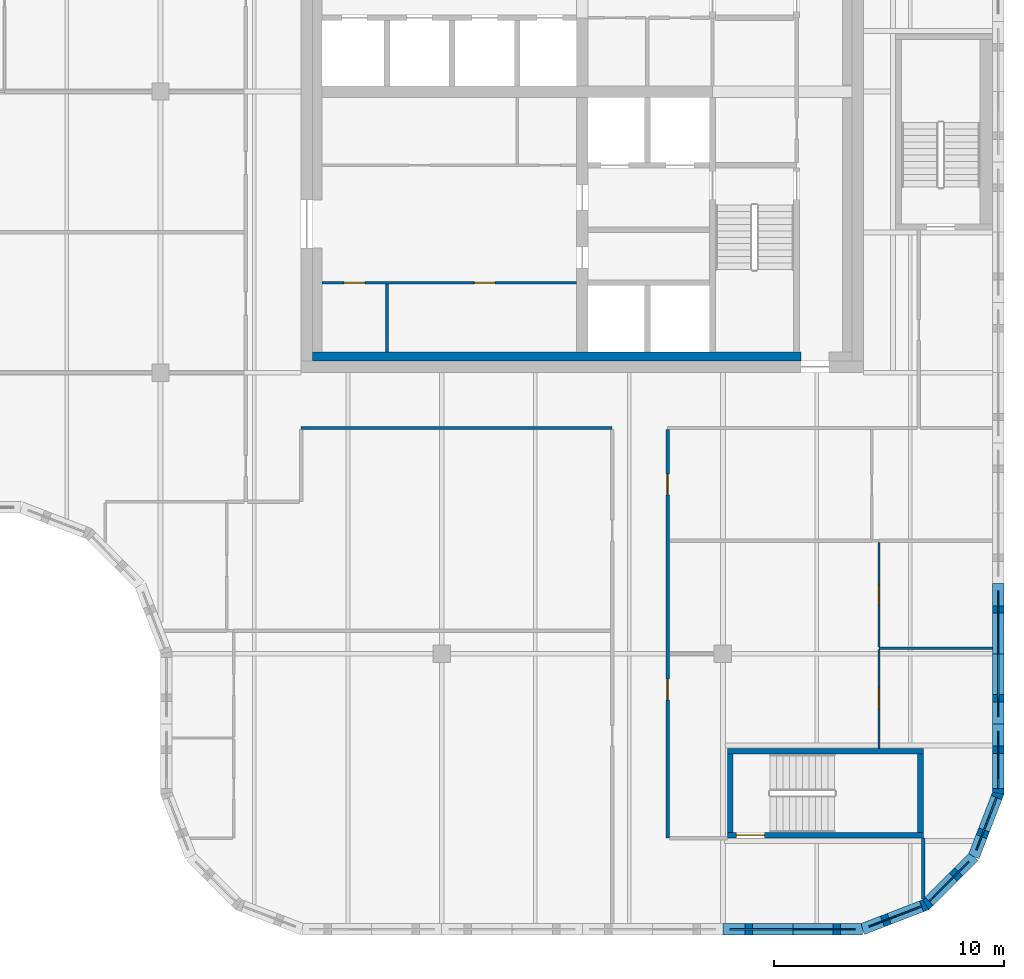
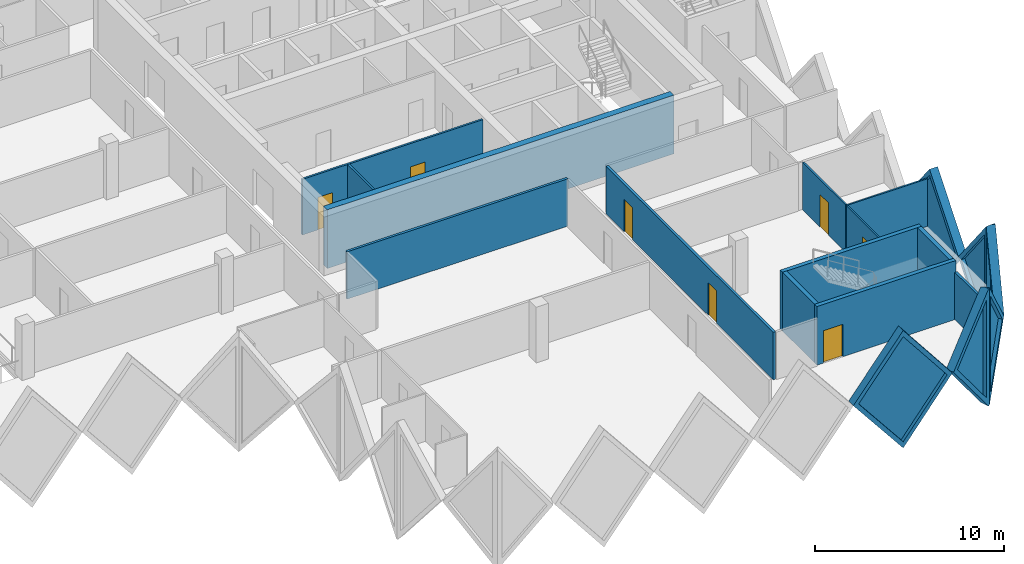
# One storey, part 5 of 12: 19 walls, 7 doors, 6 plates, 13 openings.
"""IFC4 building model written with IfcOpenShell, lengths in metres."""

from ifc_helpers import new_model, si_unit, direction, frame, frame_2d, origin, place, context, subcontext, project, spatial, polyline, rectangle, outline, extrude, faceted_brep, source, transform, mapped, material, layer, layer_set, type_object, element, fill, save


model = new_model("IFC4")

# Units and contexts
model_context = context("Model", 3, precision=1e-05, world=origin(), true_north=direction((0.0, 1.0)))
body_context = subcontext(model_context, "Body", "Model", "MODEL_VIEW")
ifc_project = project(units=[si_unit("LENGTHUNIT", "METRE"), si_unit("AREAUNIT", "SQUARE_METRE"), si_unit("VOLUMEUNIT", "CUBIC_METRE"), si_unit("PLANEANGLEUNIT", "RADIAN"), si_unit("MASSUNIT", "GRAM", prefix="KILO")], contexts=[model_context])

# Site, building, storey
site_placement = place(None, origin())
site = spatial("IfcSite", under=ifc_project, at=site_placement, CompositionType="ELEMENT")
building_placement = place(site_placement, origin())
building = spatial("IfcBuilding", under=site, at=building_placement, Name="Tessera Gate Towers", CompositionType="ELEMENT")
storey_placement = place(building_placement, frame((0.0, 0.0, 209.300048828125)))
storey = spatial("IfcBuildingStorey", under=building, at=storey_placement, Name="L52", CompositionType="ELEMENT", Elevation=209.300048828125)

# Wall, opening, door
ifc_material_1 = material(Name="Concrete C40/50", Category="concrete")
ifc_layer_1 = layer(ifc_material_1, 0.25)
ifc_layer_set_1 = layer_set([ifc_layer_1], Name="CORE ENCLOSURE WALL 250")
wall_type_1 = type_object("IfcWallType", Name="CORE ENCLOSURE WALL 250", PredefinedType="SOLIDWALL", material=ifc_layer_set_1)
wall_1_placement = place(storey_placement, frame((57.5, 4.324951171875, 0.0), z_axis=(0.0, 0.0, 1.0), x_axis=(-1.0, 0.0, 0.0)))
wall_1 = element("IfcWall", 1, at=wall_1_placement, inside=storey, type_object=wall_type_1, Name="L52 ST4 enclosure wall", PredefinedType="SOLIDWALL", context=body_context, shape_type="SweptSolid", body=[
    extrude(rectangle(XDim=8.5, YDim=0.25, at=frame_2d((4.25, 0.0))), origin(), (0.0, 0.0, 1.0), 3.800048828125),
])
shared_shape_1 = source(origin(), body_context, "Body", "SweptSolid", [
    extrude(rectangle(XDim=1.199951171875, YDim=2.10009765625, at=frame_2d((0.60009765625, 1.050048828125))), frame((0.0, 0.135009765625, 0.0), z_axis=(0.0, -1.0, 0.0), x_axis=(1.0, 0.0, 0.0)), (0.0, 0.0, 1.0), 0.27001953125),
])
opening_1_placement = place(wall_1_placement, frame((6.89990234375, 0.0, 0.0)))
opening_1 = element("IfcOpeningElement", 2, at=opening_1_placement, cuts=wall_1, Name="Opening SD-ST4-1", PredefinedType="OPENING", context=body_context, shape_type="MappedRepresentation", body=[
    mapped(shared_shape_1, transform((0.0, 0.0, 0.0), scale=1.0)),
])
ifc_material_2 = material(Name="Hollow steel fire door", Category="steel")
door_type_1 = type_object("IfcDoorType", Name="CORE DOOR SD 1200x2100", OperationType="NOTDEFINED", PredefinedType="DOOR", material=ifc_material_2)
shared_shape_2 = source(origin(), body_context, "Body", "SweptSolid", [
    extrude(rectangle(XDim=1.199951171875, YDim=2.10009765625, at=frame_2d((0.60009765625, 1.050048828125))), frame((0.0, 0.02490234375, 0.0), z_axis=(0.0, -1.0, 0.0), x_axis=(1.0, 0.0, 0.0)), (0.0, 0.0, 1.0), 0.050048828125),
])
door_1_placement = place(opening_1_placement, origin())
door_1 = element("IfcDoor", 3, at=door_1_placement, inside=storey, type_object=door_type_1, Name="Stair door", OperationType="SINGLE_SWING_RIGHT", OverallHeight=2.10009765625, OverallWidth=1.199951171875, PredefinedType="DOOR", context=body_context, shape_type="MappedRepresentation", body=[
    mapped(shared_shape_2, transform((0.0, 0.0, 0.0), scale=1.0)),
])
fill(opening_1, door_1)

# Walls
wall_2_placement = place(storey_placement, frame((49.125, 4.449951171875, 0.0), z_axis=(0.0, 0.0, 1.0), x_axis=(0.0, 1.0, 0.0)))
element("IfcWall", 4, at=wall_2_placement, inside=storey, type_object=wall_type_1, Name="L52 ST4 enclosure wall", PredefinedType="SOLIDWALL", context=body_context, shape_type="SweptSolid", body=[
    extrude(rectangle(XDim=3.400146484375, YDim=0.25, at=frame_2d((1.7001953125, 0.0))), origin(), (0.0, 0.0, 1.0), 3.800048828125),
])
wall_3_placement = place(storey_placement, frame((49.0, 7.97509765625, 0.0), z_axis=(0.0, 0.0, 1.0), x_axis=(1.0, 0.0, 0.0)))
element("IfcWall", 5, at=wall_3_placement, inside=storey, type_object=wall_type_1, Name="L52 ST4 enclosure wall", PredefinedType="SOLIDWALL", context=body_context, shape_type="SweptSolid", body=[
    extrude(rectangle(XDim=8.5, YDim=0.25, at=frame_2d((4.25, 0.0))), origin(), (0.0, 0.0, 1.0), 3.800048828125),
])
wall_4_placement = place(storey_placement, frame((57.375, 7.85009765625, 0.0), z_axis=(0.0, 0.0, 1.0), x_axis=(0.0, -1.0, 0.0)))
element("IfcWall", 6, at=wall_4_placement, inside=storey, type_object=wall_type_1, Name="L52 ST4 enclosure wall", PredefinedType="SOLIDWALL", context=body_context, shape_type="SweptSolid", body=[
    extrude(rectangle(XDim=3.400146484375, YDim=0.25, at=frame_2d((1.7001953125, 0.0))), origin(), (0.0, 0.0, 1.0), 3.800048828125),
])

# Wall, openings, doors
ifc_material_3 = material(Name="Gypsum board on steel studs", Category="steel")
ifc_layer_2 = layer(ifc_material_3, 0.1201171875)
ifc_layer_set_2 = layer_set([ifc_layer_2], Name="CORE PARTITION 120")
wall_type_2 = type_object("IfcWallType", Name="CORE PARTITION 120", PredefinedType="PARTITIONING", material=ifc_layer_set_2)
wall_5_placement = place(storey_placement, frame((42.449951171875, 28.300048828125, 0.0), z_axis=(0.0, 0.0, 1.0), x_axis=(-1.0, 0.0, 0.0)))
wall_5 = element("IfcWall", 7, at=wall_5_placement, inside=storey, type_object=wall_type_2, Name="L52 core partition", PredefinedType="PARTITIONING", context=body_context, shape_type="SweptSolid", body=[
    extrude(rectangle(XDim=11.050048828125, YDim=0.1201171875, at=frame_2d((5.52490234375, 0.0))), origin(), (0.0, 0.0, 1.0), 3.599853515625),
])
shared_shape_3 = source(origin(), body_context, "Body", "SweptSolid", [
    extrude(rectangle(XDim=0.89990234375, YDim=2.10009765625, at=frame_2d((0.449951171875, 1.050048828125))), frame((0.0, 0.070068359375, 0.0), z_axis=(0.0, -1.0, 0.0), x_axis=(1.0, 0.0, 0.0)), (0.0, 0.0, 1.0), 0.14013671875),
])
opening_2_placement = place(wall_5_placement, frame((9.1875, 0.0, 0.0)))
opening_2 = element("IfcOpeningElement", 8, at=opening_2_placement, cuts=wall_5, Name="Opening RD-T1-32-07", PredefinedType="OPENING", context=body_context, shape_type="MappedRepresentation", body=[
    mapped(shared_shape_3, transform((0.0, 0.0, 0.0), scale=1.0)),
])
opening_3_placement = place(wall_5_placement, frame((3.53759765625, 0.0, 0.0)))
opening_3 = element("IfcOpeningElement", 9, at=opening_3_placement, cuts=wall_5, Name="Opening RD-T1-32-08", PredefinedType="OPENING", context=body_context, shape_type="MappedRepresentation", body=[
    mapped(shared_shape_3, transform((0.0, 0.0, 0.0), scale=1.0)),
])
ifc_material_4 = material(Name="Hollow steel fire door", Category="steel")
door_type_2 = type_object("IfcDoorType", Name="CORE DOOR RD 900x2100", OperationType="NOTDEFINED", PredefinedType="DOOR", material=ifc_material_4)
shared_shape_4 = source(origin(), body_context, "Body", "SweptSolid", [
    extrude(rectangle(XDim=0.89990234375, YDim=2.10009765625, at=frame_2d((0.449951171875, 1.050048828125))), frame((0.0, 0.02490234375, 0.0), z_axis=(0.0, -1.0, 0.0), x_axis=(1.0, 0.0, 0.0)), (0.0, 0.0, 1.0), 0.050048828125),
])
door_2_placement = place(opening_2_placement, origin())
door_2 = element("IfcDoor", 10, at=door_2_placement, inside=storey, type_object=door_type_2, Name="Core room door", OperationType="SINGLE_SWING_RIGHT", OverallHeight=2.10009765625, OverallWidth=0.89990234375, PredefinedType="DOOR", context=body_context, shape_type="MappedRepresentation", body=[
    mapped(shared_shape_4, transform((0.0, 0.0, 0.0), scale=1.0)),
])
fill(opening_2, door_2)
door_3_placement = place(opening_3_placement, origin())
door_3 = element("IfcDoor", 11, at=door_3_placement, inside=storey, type_object=door_type_2, Name="Core room door", OperationType="SINGLE_SWING_LEFT", OverallHeight=2.10009765625, OverallWidth=0.89990234375, PredefinedType="DOOR", context=body_context, shape_type="MappedRepresentation", body=[
    mapped(shared_shape_4, transform((0.0, 0.0, 0.0), scale=1.0)),
])
fill(opening_3, door_3)

# Walls
wall_6_placement = place(storey_placement, frame((34.22509765625, 25.300048828125, 0.0), z_axis=(0.0, 0.0, 1.0), x_axis=(0.0, 1.0, 0.0)))
element("IfcWall", 12, at=wall_6_placement, inside=storey, type_object=wall_type_2, Name="L52 core partition", PredefinedType="PARTITIONING", context=body_context, shape_type="SweptSolid", body=[
    extrude(rectangle(XDim=2.93994140625, YDim=0.1201171875, at=frame_2d((1.469970703125, 0.0))), origin(), (0.0, 0.0, 1.0), 3.599853515625),
])
ifc_material_5 = material(Name="Concrete C50/60", Category="concrete")
ifc_layer_3 = layer(ifc_material_5, 0.39990234375)
ifc_layer_set_3 = layer_set([ifc_layer_3], Name="CORE WALL THICKENING 400")
wall_type_3 = type_object("IfcWallType", Name="CORE WALL THICKENING 400", PredefinedType="SOLIDWALL", material=ifc_layer_set_3)
wall_7_placement = place(storey_placement, frame((31.0, 25.10009765625, 0.0), z_axis=(0.0, 0.0, 1.0), x_axis=(1.0, 0.0, 0.0)))
element("IfcWall", 13, at=wall_7_placement, inside=storey, type_object=wall_type_3, Name="Core wall thickening S L52", PredefinedType="SOLIDWALL", context=body_context, shape_type="SweptSolid", body=[
    extrude(rectangle(XDim=21.199951171875, YDim=0.39990234375, at=frame_2d((10.60009765625, 0.0))), origin(), (0.0, 0.0, 1.0), 3.800048828125),
])
ifc_material_6 = material(Name="Gypsum board on steel studs, mineral wool", Category="steel")
ifc_layer_4 = layer(ifc_material_6, 0.14990234375)
ifc_layer_set_4 = layer_set([ifc_layer_4], Name="CORRIDOR WALL 150")
wall_type_4 = type_object("IfcWallType", Name="CORRIDOR WALL 150", PredefinedType="PARTITIONING", material=ifc_layer_set_4)
wall_8_placement = place(storey_placement, frame((57.5, 1.55908203125, 0.0), z_axis=(0.0, 0.0, 1.0), x_axis=(0.0, 1.0, 0.0)))
element("IfcWall", 14, at=wall_8_placement, inside=storey, type_object=wall_type_4, Name="T1-L52-PW-002", PredefinedType="PARTITIONING", context=body_context, shape_type="SweptSolid", body=[
    extrude(rectangle(XDim=2.640869140625, YDim=0.14990234375, at=frame_2d((1.3203125, 0.0))), origin(), (0.0, 0.0, 1.0), 3.06689453125),
])

# Wall, openings, doors
wall_9_placement = place(storey_placement, frame((46.39990234375, 21.924072265625, 0.0), z_axis=(0.0, 0.0, 1.0), x_axis=(0.0, -1.0, 0.0)))
wall_9 = element("IfcWall", 15, at=wall_9_placement, inside=storey, type_object=wall_type_4, Name="T1-L52-PW-005", PredefinedType="PARTITIONING", context=body_context, shape_type="SweptSolid", body=[
    extrude(rectangle(XDim=17.72412109375, YDim=0.14990234375, at=frame_2d((8.862060546875, 0.0))), origin(), (0.0, 0.0, 1.0), 3.06689453125),
])
shared_shape_5 = source(origin(), body_context, "Body", "SweptSolid", [
    extrude(rectangle(XDim=0.89990234375, YDim=2.10009765625, at=frame_2d((0.449951171875, 1.050048828125))), frame((0.0, 0.0849609375, 0.0), z_axis=(0.0, -1.0, 0.0), x_axis=(1.0, 0.0, 0.0)), (0.0, 0.0, 1.0), 0.169921875),
])
opening_4_placement = place(wall_9_placement, frame((1.923095703125, 0.0, 0.0)))
opening_4 = element("IfcOpeningElement", 16, at=opening_4_placement, cuts=wall_9, Name="Opening D890FD60-A19-02", PredefinedType="OPENING", context=body_context, shape_type="MappedRepresentation", body=[
    mapped(shared_shape_5, transform((0.0, 0.0, 0.0), scale=1.0)),
])
opening_5_placement = place(wall_9_placement, frame((10.823974609375, 0.0, 0.0)))
opening_5 = element("IfcOpeningElement", 17, at=opening_5_placement, cuts=wall_9, Name="Opening D890FD60-A19-11", PredefinedType="OPENING", context=body_context, shape_type="MappedRepresentation", body=[
    mapped(shared_shape_5, transform((0.0, 0.0, 0.0), scale=1.0)),
])
ifc_material_7 = material(Name="Timber door leaf in steel frame", Category="steel")
door_type_3 = type_object("IfcDoorType", Name="CORRIDOR DOOR 900 FD60", OperationType="NOTDEFINED", PredefinedType="DOOR", material=ifc_material_7)
door_4_placement = place(opening_4_placement, origin())
door_4 = element("IfcDoor", 18, at=door_4_placement, inside=storey, type_object=door_type_3, Name="T1-L52-PD-008", OperationType="SINGLE_SWING_RIGHT", OverallHeight=2.10009765625, OverallWidth=0.89990234375, PredefinedType="DOOR", context=body_context, shape_type="MappedRepresentation", body=[
    mapped(shared_shape_4, transform((0.0, 0.0, 0.0), scale=1.0)),
])
fill(opening_4, door_4)
door_5_placement = place(opening_5_placement, origin())
door_5 = element("IfcDoor", 19, at=door_5_placement, inside=storey, type_object=door_type_3, Name="T1-L52-PD-027", OperationType="SINGLE_SWING_RIGHT", OverallHeight=2.10009765625, OverallWidth=0.89990234375, PredefinedType="DOOR", context=body_context, shape_type="MappedRepresentation", body=[
    mapped(shared_shape_4, transform((0.0, 0.0, 0.0), scale=1.0)),
])
fill(opening_5, door_5)

# Wall
wall_10_placement = place(storey_placement, frame((30.5, 22.0, 0.0), z_axis=(0.0, 0.0, 1.0), x_axis=(1.0, 0.0, 0.0)))
element("IfcWall", 20, at=wall_10_placement, inside=storey, type_object=wall_type_4, Name="T1-L52-PW-028", PredefinedType="PARTITIONING", context=body_context, shape_type="SweptSolid", body=[
    extrude(rectangle(XDim=13.5, YDim=0.14990234375, at=frame_2d((6.75, 0.0))), origin(), (0.0, 0.0, 1.0), 3.06689453125),
])

# Wall, opening, door
ifc_material_8 = material(Name="Gypsum board on steel studs", Category="steel")
ifc_layer_5 = layer(ifc_material_8, 0.10009765625)
ifc_layer_set_5 = layer_set([ifc_layer_5], Name="PARTITION 100")
wall_type_5 = type_object("IfcWallType", Name="PARTITION 100", PredefinedType="PARTITIONING", material=ifc_layer_set_5)
wall_11_placement = place(storey_placement, frame((55.574951171875, 12.396728515625, 0.0), z_axis=(0.0, 0.0, 1.0), x_axis=(0.0, -1.0, 0.0)))
wall_11 = element("IfcWall", 21, at=wall_11_placement, inside=storey, type_object=wall_type_5, Name="T1-L52-PW-007", PredefinedType="PARTITIONING", context=body_context, shape_type="SweptSolid", body=[
    extrude(rectangle(XDim=4.296630859375, YDim=0.10009765625, at=frame_2d((2.1484375, 0.0))), origin(), (0.0, 0.0, 1.0), 3.06689453125),
])
shared_shape_6 = source(origin(), body_context, "Body", "SweptSolid", [
    extrude(rectangle(XDim=0.89990234375, YDim=2.10009765625, at=frame_2d((0.449951171875, 1.050048828125))), frame((0.0, 0.06005859375, 0.0), z_axis=(0.0, -1.0, 0.0), x_axis=(1.0, 0.0, 0.0)), (0.0, 0.0, 1.0), 0.1201171875),
])
opening_6_placement = place(wall_11_placement, frame((1.69677734375, 0.0, 0.0)))
opening_6 = element("IfcOpeningElement", 22, at=opening_6_placement, cuts=wall_11, Name="Opening D190-A19-01", PredefinedType="OPENING", context=body_context, shape_type="MappedRepresentation", body=[
    mapped(shared_shape_6, transform((0.0, 0.0, 0.0), scale=1.0)),
])
ifc_material_9 = material(Name="Timber door leaf in steel frame", Category="steel")
door_type_4 = type_object("IfcDoorType", Name="INTERNAL DOOR 900 NOT RATED", OperationType="NOTDEFINED", PredefinedType="DOOR", material=ifc_material_9)
door_6_placement = place(opening_6_placement, origin())
door_6 = element("IfcDoor", 23, at=door_6_placement, inside=storey, type_object=door_type_4, Name="T1-L52-PD-002", OperationType="SINGLE_SWING_RIGHT", OverallHeight=2.10009765625, OverallWidth=0.89990234375, PredefinedType="DOOR", context=body_context, shape_type="MappedRepresentation", body=[
    mapped(shared_shape_4, transform((0.0, 0.0, 0.0), scale=1.0)),
])
fill(opening_6, door_6)

# Wall
wall_12_placement = place(storey_placement, frame((55.574951171875, 12.447998046875, 0.0), z_axis=(0.0, 0.0, 1.0), x_axis=(1.0, 0.0, 0.0)))
element("IfcWall", 24, at=wall_12_placement, inside=storey, type_object=wall_type_5, Name="T1-L52-PW-011", PredefinedType="PARTITIONING", context=body_context, shape_type="SweptSolid", body=[
    extrude(rectangle(XDim=4.925048828125, YDim=0.10009765625, at=frame_2d((2.46240234375, 0.0))), origin(), (0.0, 0.0, 1.0), 3.06689453125),
])

# Wall, opening, door
wall_13_placement = place(storey_placement, frame((55.574951171875, 17.02392578125, 0.0), z_axis=(0.0, 0.0, 1.0), x_axis=(0.0, -1.0, 0.0)))
wall_13 = element("IfcWall", 25, at=wall_13_placement, inside=storey, type_object=wall_type_5, Name="T1-L52-PW-012", PredefinedType="PARTITIONING", context=body_context, shape_type="SweptSolid", body=[
    extrude(rectangle(XDim=4.525146484375, YDim=0.10009765625, at=frame_2d((2.2626953125, 0.0))), origin(), (0.0, 0.0, 1.0), 3.06689453125),
])
opening_7_placement = place(wall_13_placement, frame((1.8251953125, 0.0, 0.0)))
opening_7 = element("IfcOpeningElement", 26, at=opening_7_placement, cuts=wall_13, Name="Opening D190-A19-02", PredefinedType="OPENING", context=body_context, shape_type="MappedRepresentation", body=[
    mapped(shared_shape_6, transform((0.0, 0.0, 0.0), scale=1.0)),
])
door_7_placement = place(opening_7_placement, origin())
door_7 = element("IfcDoor", 27, at=door_7_placement, inside=storey, type_object=door_type_4, Name="T1-L52-PD-004", OperationType="SINGLE_SWING_RIGHT", OverallHeight=2.10009765625, OverallWidth=0.89990234375, PredefinedType="DOOR", context=body_context, shape_type="MappedRepresentation", body=[
    mapped(shared_shape_4, transform((0.0, 0.0, 0.0), scale=1.0)),
])
fill(opening_7, door_7)

# Wall, opening, plate
ifc_material_10 = material(Name="Precast concrete C60/75 white", Category="concrete")
ifc_layer_6 = layer(ifc_material_10, 0.5)
ifc_layer_set_6 = layer_set([ifc_layer_6], Name="TS1 tessera")
wall_type_6 = type_object("IfcWallType", Name="TS1 tessera", PredefinedType="SOLIDWALL", material=ifc_layer_set_6)
shared_shape_7 = source(origin(), body_context, "Body", "SweptSolid", [
    extrude(outline(polyline([(3.050048828125, 0.0), (6.10009765625, 3.800048828125), (3.050048828125, 7.60009765625), (0.0, 3.800048828125), (3.050048828125, 0.0)])), frame((0.0, 0.25, 0.0), z_axis=(0.0, -1.0, 0.0), x_axis=(1.0, 0.0, 0.0)), (0.0, 0.0, 1.0), 0.5),
])
wall_14_placement = place(storey_placement, frame((60.75, 9.14990234375, -3.800048828125), z_axis=(0.0, 0.0, 1.0), x_axis=(0.0, 1.0, 0.0)))
wall_14 = element("IfcWall", 28, at=wall_14_placement, inside=storey, type_object=wall_type_6, Name="Precast tessera T1 TS1-0901", PredefinedType="SOLIDWALL", context=body_context, shape_type="MappedRepresentation", body=[
    mapped(shared_shape_7, transform((0.0, 0.0, 0.0), scale=1.0)),
])
shared_shape_8 = source(origin(), body_context, "Body", "SweptSolid", [
    extrude(outline(polyline([(3.050048828125, 0.3994140625), (5.779541015625, 3.800048828125), (3.050048828125, 7.20068359375), (0.320556640625, 3.800048828125), (3.050048828125, 0.3994140625)])), frame((0.0, 0.260009765625, 0.0), z_axis=(0.0, -1.0, 0.0), x_axis=(1.0, 0.0, 0.0)), (0.0, 0.0, 1.0), 0.52001953125),
])
opening_8_placement = place(wall_14_placement, origin())
opening_8 = element("IfcOpeningElement", 29, at=opening_8_placement, cuts=wall_14, Name="Opening T1-PL2-1841", PredefinedType="OPENING", context=body_context, shape_type="MappedRepresentation", body=[
    mapped(shared_shape_8, transform((0.0, 0.0, 0.0), scale=1.0)),
])
ifc_material_11 = material(Name="Low-e laminated glass", Category="glass")
ifc_layer_7 = layer(ifc_material_11, 0.06005859375)
ifc_layer_set_7 = layer_set([ifc_layer_7], Name="PL2 rhombic pane")
plate_type = type_object("IfcPlateType", Name="PL2 rhombic pane", PredefinedType="SHEET", material=ifc_layer_set_7)
shared_shape_9 = source(origin(), body_context, "Body", "SweptSolid", [
    extrude(outline(polyline([(3.050048828125, 0.3994140625), (5.779541015625, 3.800048828125), (3.050048828125, 7.20068359375), (0.320556640625, 3.800048828125), (3.050048828125, 0.3994140625)])), frame((0.0, 0.030029296875, 0.0), z_axis=(0.0, -1.0, 0.0), x_axis=(1.0, 0.0, 0.0)), (0.0, 0.0, 1.0), 0.06005859375),
])
plate_1_placement = place(opening_8_placement, origin())
plate_1 = element("IfcPlate", 30, at=plate_1_placement, inside=storey, type_object=plate_type, Name="Glass pane T1 PL2-1841", PredefinedType="SHEET", context=body_context, shape_type="MappedRepresentation", body=[
    mapped(shared_shape_9, transform((0.0, 0.0, 0.0), scale=1.0)),
])
fill(opening_8, plate_1)

shared_shape_10 = source(origin(), body_context, "Body", "Brep", [
    faceted_brep([(3.050048828125, -0.25, 0.0), (6.053466796875, -0.25, 3.800048828125), (3.050048828125, -0.25, 7.60009765625), (0.0, -0.25, 3.800048828125), (0.0, 0.25, 3.800048828125), (3.050048828125, 0.25, 7.60009765625), (6.0068359375, 0.25, 3.85888671875), (6.0068359375, 0.25, 3.7412109375), (3.050048828125, 0.25, 0.0), (6.053466796875, 0.0, 3.800048828125)], [[[0, 1, 2, 3]], [[4, 5, 6, 7, 8]], [[8, 7, 9, 1, 0]], [[6, 5, 2, 1, 9]], [[5, 4, 3, 2]], [[4, 8, 0, 3]], [[9, 7, 6]]]),
])
wall_15_placement = place(storey_placement, frame((48.800048828125, 0.25, -3.800048828125), z_axis=(0.0, 0.0, 1.0), x_axis=(1.0, 0.0, 0.0)))
wall_15 = element("IfcWall", 31, at=wall_15_placement, inside=storey, type_object=wall_type_6, Name="Precast tessera T1 TS1-0900", PredefinedType="SOLIDWALL", context=body_context, shape_type="MappedRepresentation", body=[
    mapped(shared_shape_10, transform((0.0, 0.0, 0.0), scale=1.0)),
])
shared_shape_11 = source(origin(), body_context, "Body", "SweptSolid", [
    extrude(outline(polyline([(3.048583984375, 0.4013671875), (5.73486328125, 3.800048828125), (3.048583984375, 7.19873046875), (0.320556640625, 3.800048828125), (3.048583984375, 0.4013671875)])), frame((0.0, 0.260009765625, 0.0), z_axis=(0.0, -1.0, 0.0), x_axis=(1.0, 0.0, 0.0)), (0.0, 0.0, 1.0), 0.52001953125),
])
opening_9_placement = place(wall_15_placement, origin())
opening_9 = element("IfcOpeningElement", 32, at=opening_9_placement, cuts=wall_15, Name="Opening T1-PL2-1836", PredefinedType="OPENING", context=body_context, shape_type="MappedRepresentation", body=[
    mapped(shared_shape_11, transform((0.0, 0.0, 0.0), scale=1.0)),
])
shared_shape_12 = source(origin(), body_context, "Body", "SweptSolid", [
    extrude(outline(polyline([(3.048583984375, 0.4013671875), (5.73486328125, 3.800048828125), (3.048583984375, 7.19873046875), (0.320556640625, 3.800048828125), (3.048583984375, 0.4013671875)])), frame((0.0, 0.030029296875, 0.0), z_axis=(0.0, -1.0, 0.0), x_axis=(1.0, 0.0, 0.0)), (0.0, 0.0, 1.0), 0.06005859375),
])
plate_2_placement = place(opening_9_placement, origin())
plate_2 = element("IfcPlate", 33, at=plate_2_placement, inside=storey, type_object=plate_type, Name="Glass pane T1 PL2-1836", PredefinedType="SHEET", context=body_context, shape_type="MappedRepresentation", body=[
    mapped(shared_shape_12, transform((0.0, 0.0, 0.0), scale=1.0)),
])
fill(opening_9, plate_2)

ifc_material_12 = material(Name="Precast concrete C60/75 white", Category="concrete")
ifc_layer_8 = layer(ifc_material_12, 0.5)
ifc_layer_set_8 = layer_set([ifc_layer_8], Name="TS3 corner tessera")
wall_type_7 = type_object("IfcWallType", Name="TS3 corner tessera", PredefinedType="SOLIDWALL", material=ifc_layer_set_8)
shared_shape_13 = source(origin(), body_context, "Body", "Brep", [
    faceted_brep([(2.950439453125, -0.25, 0.0), (3.00341796875, -0.25, 0.068359375), (3.00341796875, -0.25, 7.53173828125), (2.950439453125, -0.25, 7.60009765625), (0.0, -0.25, 3.800048828125), (0.046630859375, 0.25, 3.860107421875), (2.897705078125, 0.25, 7.531982421875), (2.897705078125, 0.25, 0.068115234375), (0.046630859375, 0.25, 3.739990234375), (2.950439453125, 0.00048828125, 0.0), (2.950439453125, 0.00048828125, 7.60009765625), (0.0, 0.0, 3.800048828125)], [[[0, 1, 2, 3, 4]], [[5, 6, 7, 8]], [[1, 0, 9]], [[10, 3, 2]], [[6, 5, 11, 4, 3, 10]], [[8, 7, 9, 0, 4, 11]], [[8, 11, 5]], [[1, 9, 7, 6, 10, 2]]]),
])
wall_16_placement = place(storey_placement, frame((54.853515625, 0.25, -3.800048828125), z_axis=(0.0, 0.0, 1.0), x_axis=(0.932970071518, 0.359953949349, 0.0)))
wall_16 = element("IfcWall", 34, at=wall_16_placement, inside=storey, type_object=wall_type_7, Name="Precast corner tessera T1 TS3-1201", PredefinedType="SOLIDWALL", context=body_context, shape_type="MappedRepresentation", body=[
    mapped(shared_shape_13, transform((0.0, 0.0, 0.0), scale=1.0)),
])
shared_shape_14 = source(origin(), body_context, "Body", "SweptSolid", [
    extrude(outline(polyline([(2.75048828125, 6.934814453125), (0.31640625, 3.800048828125), (2.75048828125, 0.665283203125), (2.75048828125, 6.934814453125)])), frame((0.0, 0.260009765625, 0.0), z_axis=(0.0, -1.0, 0.0), x_axis=(1.0, 0.0, 0.0)), (0.0, 0.0, 1.0), 0.52001953125),
])
opening_10_placement = place(wall_16_placement, origin())
opening_10 = element("IfcOpeningElement", 35, at=opening_10_placement, cuts=wall_16, Name="Opening T1-PL2-1837", PredefinedType="OPENING", context=body_context, shape_type="MappedRepresentation", body=[
    mapped(shared_shape_14, transform((0.0, 0.0, 0.0), scale=1.0)),
])
shared_shape_15 = source(origin(), body_context, "Body", "SweptSolid", [
    extrude(outline(polyline([(2.75048828125, 6.934814453125), (0.31640625, 3.800048828125), (2.75048828125, 0.665283203125), (2.75048828125, 6.934814453125)])), frame((0.0, 0.030029296875, 0.0), z_axis=(0.0, -1.0, 0.0), x_axis=(1.0, 0.0, 0.0)), (0.0, 0.0, 1.0), 0.06005859375),
])
plate_3_placement = place(opening_10_placement, origin())
plate_3 = element("IfcPlate", 36, at=plate_3_placement, inside=storey, type_object=plate_type, Name="Glass pane T1 PL2-1837", PredefinedType="SHEET", context=body_context, shape_type="MappedRepresentation", body=[
    mapped(shared_shape_15, transform((0.0, 0.0, 0.0), scale=1.0)),
])
fill(opening_10, plate_3)

shared_shape_16 = source(origin(), body_context, "Body", "Brep", [
    faceted_brep([(0.052978515625, -0.25, 0.0), (2.9970703125, -0.25, 3.800048828125), (0.052978515625, -0.25, 7.60009765625), (0.0, -0.25, 7.531982421875), (0.0, -0.25, 0.068115234375), (0.10595703125, 0.25, 7.53173828125), (2.944091796875, 0.25, 3.8681640625), (2.944091796875, 0.25, 3.73193359375), (0.10595703125, 0.25, 0.068359375), (2.9970703125, 0.000244140625, 3.800048828125), (0.052978515625, 0.0, 0.0), (0.052978515625, 0.0, 7.60009765625)], [[[0, 1, 2, 3, 4]], [[5, 6, 7, 8]], [[8, 7, 9, 1, 0, 10]], [[6, 5, 11, 2, 1, 9]], [[3, 2, 11]], [[10, 0, 4]], [[8, 10, 4, 3, 11, 5]], [[9, 7, 6]]]),
])
wall_17_placement = place(storey_placement, frame((57.56884765625, 1.2744140625, -3.800048828125), z_axis=(0.0, 0.0, 1.0), x_axis=(0.707066050402, 0.707147509625, 0.0)))
wall_17 = element("IfcWall", 37, at=wall_17_placement, inside=storey, type_object=wall_type_7, Name="Precast corner tessera T1 TS3-1202", PredefinedType="SOLIDWALL", context=body_context, shape_type="MappedRepresentation", body=[
    mapped(shared_shape_16, transform((0.0, 0.0, 0.0), scale=1.0)),
])
shared_shape_17 = source(origin(), body_context, "Body", "SweptSolid", [
    extrude(outline(polyline([(0.2529296875, 0.666259765625), (2.680908203125, 3.800048828125), (0.2529296875, 6.93359375), (0.2529296875, 0.666259765625)])), frame((0.0, 0.260009765625, 0.0), z_axis=(0.0, -1.0, 0.0), x_axis=(1.0, 0.0, 0.0)), (0.0, 0.0, 1.0), 0.52001953125),
])
opening_11_placement = place(wall_17_placement, origin())
opening_11 = element("IfcOpeningElement", 38, at=opening_11_placement, cuts=wall_17, Name="Opening T1-PL2-1838", PredefinedType="OPENING", context=body_context, shape_type="MappedRepresentation", body=[
    mapped(shared_shape_17, transform((0.0, 0.0, 0.0), scale=1.0)),
])
shared_shape_18 = source(origin(), body_context, "Body", "SweptSolid", [
    extrude(outline(polyline([(0.2529296875, 0.666259765625), (2.680908203125, 3.800048828125), (0.2529296875, 6.93359375), (0.2529296875, 0.666259765625)])), frame((0.0, 0.030029296875, 0.0), z_axis=(0.0, -1.0, 0.0), x_axis=(1.0, 0.0, 0.0)), (0.0, 0.0, 1.0), 0.06005859375),
])
plate_4_placement = place(opening_11_placement, origin())
plate_4 = element("IfcPlate", 39, at=plate_4_placement, inside=storey, type_object=plate_type, Name="Glass pane T1 PL2-1838", PredefinedType="SHEET", context=body_context, shape_type="MappedRepresentation", body=[
    mapped(shared_shape_18, transform((0.0, 0.0, 0.0), scale=1.0)),
])
fill(opening_11, plate_4)

shared_shape_19 = source(origin(), body_context, "Body", "Brep", [
    faceted_brep([(2.950439453125, -0.25, 0.0), (2.9970703125, -0.25, 0.05908203125), (2.9970703125, -0.25, 7.541015625), (2.950439453125, -0.25, 7.60009765625), (0.0, -0.25, 3.800048828125), (0.052978515625, 0.25, 3.8681640625), (2.904052734375, 0.25, 7.540283203125), (2.904052734375, 0.25, 0.059814453125), (0.052978515625, 0.25, 3.73193359375), (2.950439453125, 0.00048828125, 0.0), (2.950439453125, 0.00048828125, 7.60009765625), (0.0, 0.0, 3.800048828125)], [[[0, 1, 2, 3, 4]], [[5, 6, 7, 8]], [[1, 0, 9]], [[10, 3, 2]], [[6, 5, 11, 4, 3, 10]], [[8, 7, 9, 0, 4, 11]], [[8, 11, 5]], [[1, 9, 7, 6, 10, 2]]]),
])
wall_18_placement = place(storey_placement, frame((59.68798828125, 3.393798828125, -3.800048828125), z_axis=(0.0, 0.0, 1.0), x_axis=(0.359972353723, 0.932962970624, 0.0)))
wall_18 = element("IfcWall", 40, at=wall_18_placement, inside=storey, type_object=wall_type_7, Name="Precast corner tessera T1 TS3-1203", PredefinedType="SOLIDWALL", context=body_context, shape_type="MappedRepresentation", body=[
    mapped(shared_shape_19, transform((0.0, 0.0, 0.0), scale=1.0)),
])
opening_12_placement = place(wall_18_placement, origin())
opening_12 = element("IfcOpeningElement", 41, at=opening_12_placement, cuts=wall_18, Name="Opening T1-PL2-1839", PredefinedType="OPENING", context=body_context, shape_type="MappedRepresentation", body=[
    mapped(shared_shape_14, transform((0.0, 0.0, 0.0), scale=1.0)),
])
plate_5_placement = place(opening_12_placement, origin())
plate_5 = element("IfcPlate", 42, at=plate_5_placement, inside=storey, type_object=plate_type, Name="Glass pane T1 PL2-1839", PredefinedType="SHEET", context=body_context, shape_type="MappedRepresentation", body=[
    mapped(shared_shape_15, transform((0.0, 0.0, 0.0), scale=1.0)),
])
fill(opening_12, plate_5)

shared_shape_20 = source(origin(), body_context, "Body", "Brep", [
    faceted_brep([(0.046630859375, -0.25, 0.0), (3.050048828125, -0.25, 3.800048828125), (0.046630859375, -0.25, 7.60009765625), (0.0, -0.25, 7.5400390625), (0.0, -0.25, 0.06005859375), (0.09326171875, 0.25, 7.541259765625), (3.050048828125, 0.25, 3.800048828125), (0.09326171875, 0.25, 0.058837890625), (0.046630859375, 0.0, 0.0), (0.046630859375, 0.0, 7.60009765625)], [[[0, 1, 2, 3, 4]], [[5, 6, 7]], [[7, 6, 1, 0, 8]], [[6, 5, 9, 2, 1]], [[3, 2, 9]], [[8, 0, 4]], [[7, 8, 4, 3, 9, 5]]]),
])
wall_19_placement = place(storey_placement, frame((60.75, 6.099853515625, -3.800048828125), z_axis=(0.0, 0.0, 1.0), x_axis=(0.0, 1.0, 0.0)))
wall_19 = element("IfcWall", 43, at=wall_19_placement, inside=storey, type_object=wall_type_7, Name="Precast corner tessera T1 TS3-1204", PredefinedType="SOLIDWALL", context=body_context, shape_type="MappedRepresentation", body=[
    mapped(shared_shape_20, transform((0.0, 0.0, 0.0), scale=1.0)),
])
shared_shape_21 = source(origin(), body_context, "Body", "SweptSolid", [
    extrude(outline(polyline([(0.24658203125, 0.65625), (2.7314453125, 3.800048828125), (0.24658203125, 6.94384765625), (0.24658203125, 0.65625)])), frame((0.0, 0.260009765625, 0.0), z_axis=(0.0, -1.0, 0.0), x_axis=(1.0, 0.0, 0.0)), (0.0, 0.0, 1.0), 0.52001953125),
])
opening_13_placement = place(wall_19_placement, origin())
opening_13 = element("IfcOpeningElement", 44, at=opening_13_placement, cuts=wall_19, Name="Opening T1-PL2-1840", PredefinedType="OPENING", context=body_context, shape_type="MappedRepresentation", body=[
    mapped(shared_shape_21, transform((0.0, 0.0, 0.0), scale=1.0)),
])
shared_shape_22 = source(origin(), body_context, "Body", "SweptSolid", [
    extrude(outline(polyline([(0.24658203125, 0.65625), (2.7314453125, 3.800048828125), (0.24658203125, 6.94384765625), (0.24658203125, 0.65625)])), frame((0.0, 0.030029296875, 0.0), z_axis=(0.0, -1.0, 0.0), x_axis=(1.0, 0.0, 0.0)), (0.0, 0.0, 1.0), 0.06005859375),
])
plate_6_placement = place(opening_13_placement, origin())
plate_6 = element("IfcPlate", 45, at=plate_6_placement, inside=storey, type_object=plate_type, Name="Glass pane T1 PL2-1840", PredefinedType="SHEET", context=body_context, shape_type="MappedRepresentation", body=[
    mapped(shared_shape_22, transform((0.0, 0.0, 0.0), scale=1.0)),
])
fill(opening_13, plate_6)

save(model, "model.ifc")
